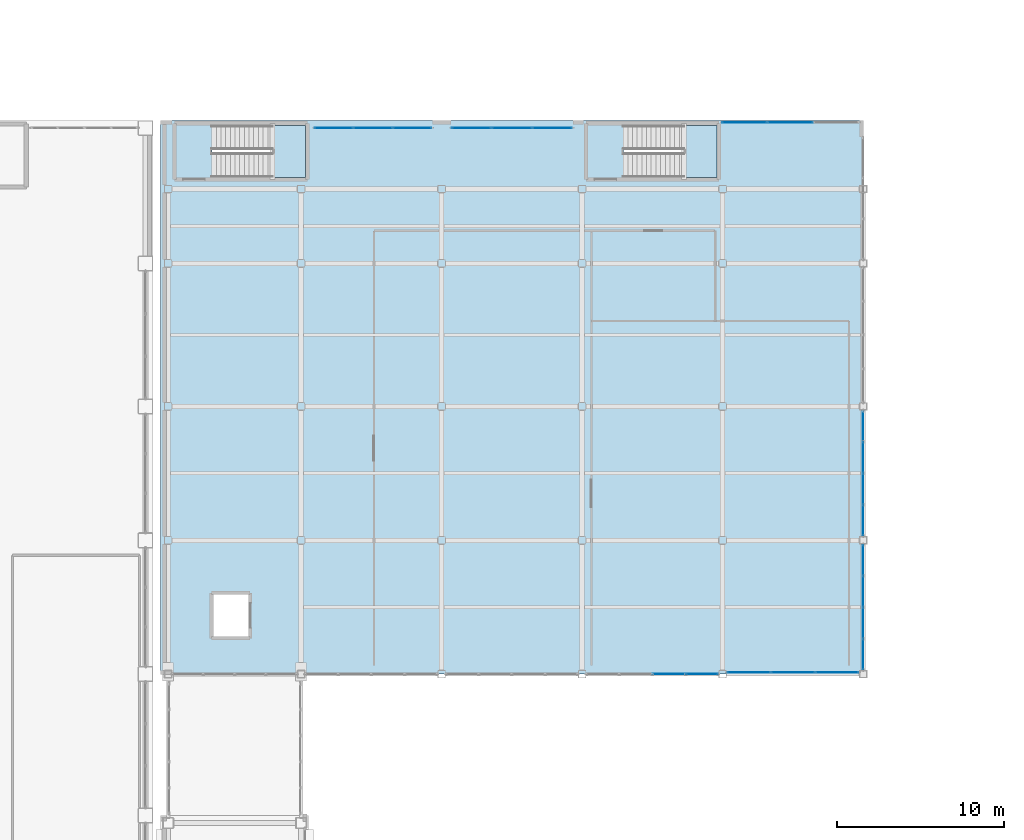
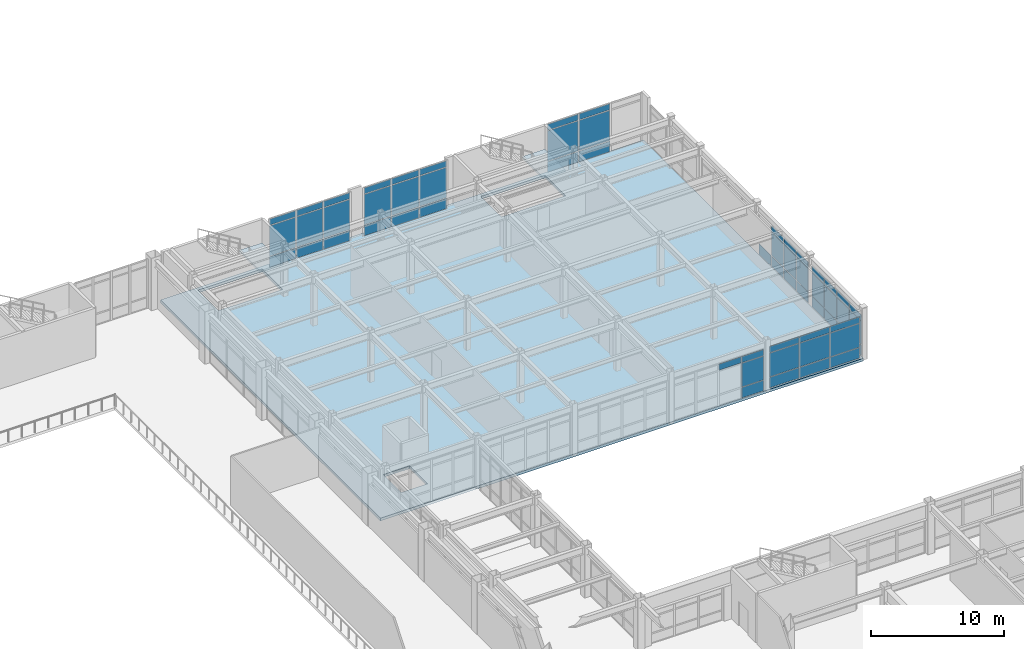
# One storey, part 133 of 172: 59 plates, 3 slabs, 9 elements without a shape of their own.
"""IFC4 building model written with IfcOpenShell, lengths in metres."""

from ifc_helpers import new_model, si_unit, direction, frame, origin, origin_2d, place, context, subcontext, project, spatial, polyline, rectangle, outline, extrude, material, layer, layer_set, type_object, element, aggregate, save


model = new_model("IFC4")

# Units and contexts
model_context = context("Model", 3, precision=1e-05, world=origin(), true_north=direction((0.0, 1.0)))
body_context = subcontext(model_context, "Body", "Model", "MODEL_VIEW")
ifc_project = project(units=[si_unit("LENGTHUNIT", "METRE"), si_unit("AREAUNIT", "SQUARE_METRE"), si_unit("VOLUMEUNIT", "CUBIC_METRE"), si_unit("PLANEANGLEUNIT", "RADIAN"), si_unit("MASSUNIT", "GRAM", prefix="KILO")], contexts=[model_context])

# Site, building, storey
site_placement = place(None, origin())
site = spatial("IfcSite", under=ifc_project, at=site_placement, CompositionType="ELEMENT")
building_placement = place(site_placement, origin())
building = spatial("IfcBuilding", under=site, at=building_placement, Name="Kazehara Bluff Congress Hotel", CompositionType="ELEMENT")
storey_placement = place(building_placement, frame((0.0, 0.0, 5.39990234375)))
storey = spatial("IfcBuildingStorey", under=building, at=storey_placement, Name="L01", CompositionType="ELEMENT", Elevation=5.39990234375)

# Curtain wall, plates
ifc_material_1 = material(Name="Anodised aluminium", Category="aluminium")
ifc_layer_1 = layer(ifc_material_1, 0.159912109375)
ifc_layer_set_1 = layer_set([ifc_layer_1], Name="Anodised aluminium")
curtain_wall_type_1 = type_object("IfcCurtainWallType", Name="TP-CW-37", PredefinedType="NOTDEFINED", material=ifc_layer_set_1)
curtain_wall_1_placement = place(storey_placement, origin())
curtain_wall_1 = element("IfcCurtainWall", 1, at=curtain_wall_1_placement, inside=storey, type_object=curtain_wall_type_1, Name="L01 curtain wall CW-37 CW-V3-L01-Y8090-8468", PredefinedType="NOTDEFINED")
ifc_material_2 = material(Name="Insulated low-E double glazing", Category="glass")
ifc_layer_2 = layer(ifc_material_2, 0.028076171875)
ifc_layer_set_2 = layer_set([ifc_layer_2], Name="Insulated low-E double glazing")
plate_type_1 = type_object("IfcPlateType", Name="TP-CWP-01", PredefinedType="CURTAIN_PANEL", material=ifc_layer_set_2)
plate_1_placement = place(storey_placement, frame((89.643798828125, 80.89990234375, 3.3076171875), z_axis=(0.0, 0.0, 1.0), x_axis=(1.0, 0.0, 0.0)))
plate_1 = element("IfcPlate", 2, at=plate_1_placement, type_object=plate_type_1, Name="CW-37 panel 3.3", PredefinedType="CURTAIN_PANEL", context=body_context, shape_type="SweptSolid", body=[
    extrude(rectangle(XDim=1.922607421875, YDim=0.028076171875, at=origin_2d()), origin(), (0.0, 0.0, 1.0), 0.552490234375),
])
plate_2_placement = place(storey_placement, frame((91.614990234375, 80.89990234375, 0.06494140625), z_axis=(0.0, 0.0, 1.0), x_axis=(1.0, 0.0, 0.0)))
plate_2 = element("IfcPlate", 3, at=plate_2_placement, type_object=plate_type_1, Name="CW-37 panel 4.1", PredefinedType="CURTAIN_PANEL", context=body_context, shape_type="SweptSolid", body=[
    extrude(rectangle(XDim=1.889892578125, YDim=0.028076171875, at=origin_2d()), origin(), (0.0, 0.0, 1.0), 0.952392578125),
])
plate_3_placement = place(storey_placement, frame((91.614990234375, 80.89990234375, 1.08251953125), z_axis=(0.0, 0.0, 1.0), x_axis=(1.0, 0.0, 0.0)))
plate_3 = element("IfcPlate", 4, at=plate_3_placement, type_object=plate_type_1, Name="CW-37 panel 4.2", PredefinedType="CURTAIN_PANEL", context=body_context, shape_type="SweptSolid", body=[
    extrude(rectangle(XDim=1.889892578125, YDim=0.028076171875, at=origin_2d()), origin(), (0.0, 0.0, 1.0), 2.159912109375),
])
plate_4_placement = place(storey_placement, frame((91.614990234375, 80.89990234375, 3.3076171875), z_axis=(0.0, 0.0, 1.0), x_axis=(1.0, 0.0, 0.0)))
plate_4 = element("IfcPlate", 5, at=plate_4_placement, type_object=plate_type_1, Name="CW-37 panel 4.3", PredefinedType="CURTAIN_PANEL", context=body_context, shape_type="SweptSolid", body=[
    extrude(rectangle(XDim=1.889892578125, YDim=0.028076171875, at=origin_2d()), origin(), (0.0, 0.0, 1.0), 0.552490234375),
])
aggregate(curtain_wall_1, [plate_1, plate_2, plate_3, plate_4])

ifc_material_3 = material(Name="Anodised aluminium", Category="aluminium")
ifc_layer_3 = layer(ifc_material_3, 0.159912109375)
ifc_layer_set_3 = layer_set([ifc_layer_3], Name="Anodised aluminium")
curtain_wall_type_2 = type_object("IfcCurtainWallType", Name="TP-CW-21", PredefinedType="NOTDEFINED", material=ifc_layer_set_3)
curtain_wall_2_placement = place(storey_placement, origin())
curtain_wall_2 = element("IfcCurtainWall", 6, at=curtain_wall_2_placement, inside=storey, type_object=curtain_wall_type_2, Name="L01 curtain wall CW-21 CW-V3-L01-X10125-8112", PredefinedType="NOTDEFINED")
plate_5_placement = place(storey_placement, frame((101.25, 82.0849609375, 0.06494140625), z_axis=(0.0, 0.0, 1.0), x_axis=(0.0, 1.0, 0.0)))
plate_5 = element("IfcPlate", 7, at=plate_5_placement, type_object=plate_type_1, Name="CW-21 panel 1.1", PredefinedType="CURTAIN_PANEL", context=body_context, shape_type="SweptSolid", body=[
    extrude(rectangle(XDim=1.7900390625, YDim=0.028076171875, at=origin_2d()), origin(), (0.0, 0.0, 1.0), 0.952392578125),
])
plate_6_placement = place(storey_placement, frame((101.25, 82.0849609375, 1.08251953125), z_axis=(0.0, 0.0, 1.0), x_axis=(0.0, 1.0, 0.0)))
plate_6 = element("IfcPlate", 8, at=plate_6_placement, type_object=plate_type_1, Name="CW-21 panel 1.2", PredefinedType="CURTAIN_PANEL", context=body_context, shape_type="SweptSolid", body=[
    extrude(rectangle(XDim=1.7900390625, YDim=0.028076171875, at=origin_2d()), origin(), (0.0, 0.0, 1.0), 2.110107421875),
])
plate_7_placement = place(storey_placement, frame((101.25, 82.0849609375, 3.2578125), z_axis=(0.0, 0.0, 1.0), x_axis=(0.0, 1.0, 0.0)))
plate_7 = element("IfcPlate", 9, at=plate_7_placement, type_object=plate_type_1, Name="CW-21 panel 1.3", PredefinedType="CURTAIN_PANEL", context=body_context, shape_type="SweptSolid", body=[
    extrude(rectangle(XDim=1.7900390625, YDim=0.028076171875, at=origin_2d()), origin(), (0.0, 0.0, 1.0), 0.552490234375),
])
plate_8_placement = place(storey_placement, frame((101.25, 83.956298828125, 0.06494140625), z_axis=(0.0, 0.0, 1.0), x_axis=(0.0, 1.0, 0.0)))
plate_8 = element("IfcPlate", 10, at=plate_8_placement, type_object=plate_type_1, Name="CW-21 panel 2.1", PredefinedType="CURTAIN_PANEL", context=body_context, shape_type="SweptSolid", body=[
    extrude(rectangle(XDim=1.822509765625, YDim=0.028076171875, at=origin_2d()), origin(), (0.0, 0.0, 1.0), 0.952392578125),
])
plate_9_placement = place(storey_placement, frame((101.25, 83.956298828125, 1.08251953125), z_axis=(0.0, 0.0, 1.0), x_axis=(0.0, 1.0, 0.0)))
plate_9 = element("IfcPlate", 11, at=plate_9_placement, type_object=plate_type_1, Name="CW-21 panel 2.2", PredefinedType="CURTAIN_PANEL", context=body_context, shape_type="SweptSolid", body=[
    extrude(rectangle(XDim=1.822509765625, YDim=0.028076171875, at=origin_2d()), origin(), (0.0, 0.0, 1.0), 2.110107421875),
])
plate_10_placement = place(storey_placement, frame((101.25, 83.956298828125, 3.2578125), z_axis=(0.0, 0.0, 1.0), x_axis=(0.0, 1.0, 0.0)))
plate_10 = element("IfcPlate", 12, at=plate_10_placement, type_object=plate_type_1, Name="CW-21 panel 2.3", PredefinedType="CURTAIN_PANEL", context=body_context, shape_type="SweptSolid", body=[
    extrude(rectangle(XDim=1.822509765625, YDim=0.028076171875, at=origin_2d()), origin(), (0.0, 0.0, 1.0), 0.552490234375),
])
plate_11_placement = place(storey_placement, frame((101.25, 85.84375, 0.06494140625), z_axis=(0.0, 0.0, 1.0), x_axis=(0.0, 1.0, 0.0)))
plate_11 = element("IfcPlate", 13, at=plate_11_placement, type_object=plate_type_1, Name="CW-21 panel 3.1", PredefinedType="CURTAIN_PANEL", context=body_context, shape_type="SweptSolid", body=[
    extrude(rectangle(XDim=1.822509765625, YDim=0.028076171875, at=origin_2d()), origin(), (0.0, 0.0, 1.0), 0.952392578125),
])
plate_12_placement = place(storey_placement, frame((101.25, 85.84375, 1.08251953125), z_axis=(0.0, 0.0, 1.0), x_axis=(0.0, 1.0, 0.0)))
plate_12 = element("IfcPlate", 14, at=plate_12_placement, type_object=plate_type_1, Name="CW-21 panel 3.2", PredefinedType="CURTAIN_PANEL", context=body_context, shape_type="SweptSolid", body=[
    extrude(rectangle(XDim=1.822509765625, YDim=0.028076171875, at=origin_2d()), origin(), (0.0, 0.0, 1.0), 2.110107421875),
])
plate_13_placement = place(storey_placement, frame((101.25, 85.84375, 3.2578125), z_axis=(0.0, 0.0, 1.0), x_axis=(0.0, 1.0, 0.0)))
plate_13 = element("IfcPlate", 15, at=plate_13_placement, type_object=plate_type_1, Name="CW-21 panel 3.3", PredefinedType="CURTAIN_PANEL", context=body_context, shape_type="SweptSolid", body=[
    extrude(rectangle(XDim=1.822509765625, YDim=0.028076171875, at=origin_2d()), origin(), (0.0, 0.0, 1.0), 0.552490234375),
])
plate_14_placement = place(storey_placement, frame((101.25, 87.715087890625, 0.06494140625), z_axis=(0.0, 0.0, 1.0), x_axis=(0.0, 1.0, 0.0)))
plate_14 = element("IfcPlate", 16, at=plate_14_placement, type_object=plate_type_1, Name="CW-21 panel 4.1", PredefinedType="CURTAIN_PANEL", context=body_context, shape_type="SweptSolid", body=[
    extrude(rectangle(XDim=1.7900390625, YDim=0.028076171875, at=origin_2d()), origin(), (0.0, 0.0, 1.0), 0.952392578125),
])
plate_15_placement = place(storey_placement, frame((101.25, 87.715087890625, 1.08251953125), z_axis=(0.0, 0.0, 1.0), x_axis=(0.0, 1.0, 0.0)))
plate_15 = element("IfcPlate", 17, at=plate_15_placement, type_object=plate_type_1, Name="CW-21 panel 4.2", PredefinedType="CURTAIN_PANEL", context=body_context, shape_type="SweptSolid", body=[
    extrude(rectangle(XDim=1.7900390625, YDim=0.028076171875, at=origin_2d()), origin(), (0.0, 0.0, 1.0), 2.110107421875),
])
plate_16_placement = place(storey_placement, frame((101.25, 87.715087890625, 3.2578125), z_axis=(0.0, 0.0, 1.0), x_axis=(0.0, 1.0, 0.0)))
plate_16 = element("IfcPlate", 18, at=plate_16_placement, type_object=plate_type_1, Name="CW-21 panel 4.3", PredefinedType="CURTAIN_PANEL", context=body_context, shape_type="SweptSolid", body=[
    extrude(rectangle(XDim=1.7900390625, YDim=0.028076171875, at=origin_2d()), origin(), (0.0, 0.0, 1.0), 0.552490234375),
])
aggregate(curtain_wall_2, [plate_5, plate_6, plate_7, plate_8, plate_9, plate_10, plate_11, plate_12, plate_13, plate_14, plate_15, plate_16])

curtain_wall_3_placement = place(storey_placement, origin())
curtain_wall_3 = element("IfcCurtainWall", 19, at=curtain_wall_3_placement, inside=storey, type_object=curtain_wall_type_2, Name="L01 curtain wall CW-21 CW-V3-L01-X10125-8912", PredefinedType="NOTDEFINED")
plate_17_placement = place(storey_placement, frame((101.25, 90.0849609375, 0.06494140625), z_axis=(0.0, 0.0, 1.0), x_axis=(0.0, 1.0, 0.0)))
plate_17 = element("IfcPlate", 20, at=plate_17_placement, type_object=plate_type_1, Name="CW-21 panel 1.1", PredefinedType="CURTAIN_PANEL", context=body_context, shape_type="SweptSolid", body=[
    extrude(rectangle(XDim=1.7900390625, YDim=0.028076171875, at=origin_2d()), origin(), (0.0, 0.0, 1.0), 0.952392578125),
])
plate_18_placement = place(storey_placement, frame((101.25, 90.0849609375, 1.08251953125), z_axis=(0.0, 0.0, 1.0), x_axis=(0.0, 1.0, 0.0)))
plate_18 = element("IfcPlate", 21, at=plate_18_placement, type_object=plate_type_1, Name="CW-21 panel 1.2", PredefinedType="CURTAIN_PANEL", context=body_context, shape_type="SweptSolid", body=[
    extrude(rectangle(XDim=1.7900390625, YDim=0.028076171875, at=origin_2d()), origin(), (0.0, 0.0, 1.0), 2.110107421875),
])
plate_19_placement = place(storey_placement, frame((101.25, 90.0849609375, 3.2578125), z_axis=(0.0, 0.0, 1.0), x_axis=(0.0, 1.0, 0.0)))
plate_19 = element("IfcPlate", 22, at=plate_19_placement, type_object=plate_type_1, Name="CW-21 panel 1.3", PredefinedType="CURTAIN_PANEL", context=body_context, shape_type="SweptSolid", body=[
    extrude(rectangle(XDim=1.7900390625, YDim=0.028076171875, at=origin_2d()), origin(), (0.0, 0.0, 1.0), 0.552490234375),
])
plate_20_placement = place(storey_placement, frame((101.25, 91.956298828125, 0.06494140625), z_axis=(0.0, 0.0, 1.0), x_axis=(0.0, 1.0, 0.0)))
plate_20 = element("IfcPlate", 23, at=plate_20_placement, type_object=plate_type_1, Name="CW-21 panel 2.1", PredefinedType="CURTAIN_PANEL", context=body_context, shape_type="SweptSolid", body=[
    extrude(rectangle(XDim=1.822509765625, YDim=0.028076171875, at=origin_2d()), origin(), (0.0, 0.0, 1.0), 0.952392578125),
])
plate_21_placement = place(storey_placement, frame((101.25, 91.956298828125, 1.08251953125), z_axis=(0.0, 0.0, 1.0), x_axis=(0.0, 1.0, 0.0)))
plate_21 = element("IfcPlate", 24, at=plate_21_placement, type_object=plate_type_1, Name="CW-21 panel 2.2", PredefinedType="CURTAIN_PANEL", context=body_context, shape_type="SweptSolid", body=[
    extrude(rectangle(XDim=1.822509765625, YDim=0.028076171875, at=origin_2d()), origin(), (0.0, 0.0, 1.0), 2.110107421875),
])
plate_22_placement = place(storey_placement, frame((101.25, 91.956298828125, 3.2578125), z_axis=(0.0, 0.0, 1.0), x_axis=(0.0, 1.0, 0.0)))
plate_22 = element("IfcPlate", 25, at=plate_22_placement, type_object=plate_type_1, Name="CW-21 panel 2.3", PredefinedType="CURTAIN_PANEL", context=body_context, shape_type="SweptSolid", body=[
    extrude(rectangle(XDim=1.822509765625, YDim=0.028076171875, at=origin_2d()), origin(), (0.0, 0.0, 1.0), 0.552490234375),
])
plate_23_placement = place(storey_placement, frame((101.25, 93.84375, 0.06494140625), z_axis=(0.0, 0.0, 1.0), x_axis=(0.0, 1.0, 0.0)))
plate_23 = element("IfcPlate", 26, at=plate_23_placement, type_object=plate_type_1, Name="CW-21 panel 3.1", PredefinedType="CURTAIN_PANEL", context=body_context, shape_type="SweptSolid", body=[
    extrude(rectangle(XDim=1.822509765625, YDim=0.028076171875, at=origin_2d()), origin(), (0.0, 0.0, 1.0), 0.952392578125),
])
plate_24_placement = place(storey_placement, frame((101.25, 93.84375, 1.08251953125), z_axis=(0.0, 0.0, 1.0), x_axis=(0.0, 1.0, 0.0)))
plate_24 = element("IfcPlate", 27, at=plate_24_placement, type_object=plate_type_1, Name="CW-21 panel 3.2", PredefinedType="CURTAIN_PANEL", context=body_context, shape_type="SweptSolid", body=[
    extrude(rectangle(XDim=1.822509765625, YDim=0.028076171875, at=origin_2d()), origin(), (0.0, 0.0, 1.0), 2.110107421875),
])
plate_25_placement = place(storey_placement, frame((101.25, 93.84375, 3.2578125), z_axis=(0.0, 0.0, 1.0), x_axis=(0.0, 1.0, 0.0)))
plate_25 = element("IfcPlate", 28, at=plate_25_placement, type_object=plate_type_1, Name="CW-21 panel 3.3", PredefinedType="CURTAIN_PANEL", context=body_context, shape_type="SweptSolid", body=[
    extrude(rectangle(XDim=1.822509765625, YDim=0.028076171875, at=origin_2d()), origin(), (0.0, 0.0, 1.0), 0.552490234375),
])
plate_26_placement = place(storey_placement, frame((101.25, 95.715087890625, 0.06494140625), z_axis=(0.0, 0.0, 1.0), x_axis=(0.0, 1.0, 0.0)))
plate_26 = element("IfcPlate", 29, at=plate_26_placement, type_object=plate_type_1, Name="CW-21 panel 4.1", PredefinedType="CURTAIN_PANEL", context=body_context, shape_type="SweptSolid", body=[
    extrude(rectangle(XDim=1.7900390625, YDim=0.028076171875, at=origin_2d()), origin(), (0.0, 0.0, 1.0), 0.952392578125),
])
aggregate(curtain_wall_3, [plate_17, plate_18, plate_19, plate_20, plate_21, plate_22, plate_23, plate_24, plate_25, plate_26])

curtain_wall_4_placement = place(storey_placement, origin())
curtain_wall_4 = element("IfcCurtainWall", 30, at=curtain_wall_4_placement, inside=storey, type_object=curtain_wall_type_1, Name="L01 curtain wall CW-37 CW-ENC-V3-L01-9705-8100", PredefinedType="NOTDEFINED")
plate_27_placement = place(storey_placement, frame((99.683837890625, 81.0, 0.06494140625), z_axis=(0.0, 0.0, 1.0), x_axis=(-1.0, 0.0, 0.0)))
plate_27 = element("IfcPlate", 31, at=plate_27_placement, type_object=plate_type_1, Name="CW-37 panel 1.1", PredefinedType="CURTAIN_PANEL", context=body_context, shape_type="SweptSolid", body=[
    extrude(rectangle(XDim=2.552490234375, YDim=0.028076171875, at=origin_2d()), origin(), (0.0, 0.0, 1.0), 0.952392578125),
])
plate_28_placement = place(storey_placement, frame((99.683837890625, 81.0, 1.08251953125), z_axis=(0.0, 0.0, 1.0), x_axis=(-1.0, 0.0, 0.0)))
plate_28 = element("IfcPlate", 32, at=plate_28_placement, type_object=plate_type_1, Name="CW-37 panel 1.2", PredefinedType="CURTAIN_PANEL", context=body_context, shape_type="SweptSolid", body=[
    extrude(rectangle(XDim=2.552490234375, YDim=0.028076171875, at=origin_2d()), origin(), (0.0, 0.0, 1.0), 2.159912109375),
])
plate_29_placement = place(storey_placement, frame((99.683837890625, 81.0, 3.3076171875), z_axis=(0.0, 0.0, 1.0), x_axis=(-1.0, 0.0, 0.0)))
plate_29 = element("IfcPlate", 33, at=plate_29_placement, type_object=plate_type_1, Name="CW-37 panel 1.3", PredefinedType="CURTAIN_PANEL", context=body_context, shape_type="SweptSolid", body=[
    extrude(rectangle(XDim=2.552490234375, YDim=0.028076171875, at=origin_2d()), origin(), (0.0, 0.0, 1.0), 0.552490234375),
])
plate_30_placement = place(storey_placement, frame((97.050048828125, 81.0, 0.06494140625), z_axis=(0.0, 0.0, 1.0), x_axis=(-1.0, 0.0, 0.0)))
plate_30 = element("IfcPlate", 34, at=plate_30_placement, type_object=plate_type_1, Name="CW-37 panel 2.1", PredefinedType="CURTAIN_PANEL", context=body_context, shape_type="SweptSolid", body=[
    extrude(rectangle(XDim=2.5849609375, YDim=0.028076171875, at=origin_2d()), origin(), (0.0, 0.0, 1.0), 0.952392578125),
])
plate_31_placement = place(storey_placement, frame((97.050048828125, 81.0, 1.08251953125), z_axis=(0.0, 0.0, 1.0), x_axis=(-1.0, 0.0, 0.0)))
plate_31 = element("IfcPlate", 35, at=plate_31_placement, type_object=plate_type_1, Name="CW-37 panel 2.2", PredefinedType="CURTAIN_PANEL", context=body_context, shape_type="SweptSolid", body=[
    extrude(rectangle(XDim=2.5849609375, YDim=0.028076171875, at=origin_2d()), origin(), (0.0, 0.0, 1.0), 2.159912109375),
])
plate_32_placement = place(storey_placement, frame((97.050048828125, 81.0, 3.3076171875), z_axis=(0.0, 0.0, 1.0), x_axis=(-1.0, 0.0, 0.0)))
plate_32 = element("IfcPlate", 36, at=plate_32_placement, type_object=plate_type_1, Name="CW-37 panel 2.3", PredefinedType="CURTAIN_PANEL", context=body_context, shape_type="SweptSolid", body=[
    extrude(rectangle(XDim=2.5849609375, YDim=0.028076171875, at=origin_2d()), origin(), (0.0, 0.0, 1.0), 0.552490234375),
])
plate_33_placement = place(storey_placement, frame((94.416259765625, 81.0, 0.06494140625), z_axis=(0.0, 0.0, 1.0), x_axis=(-1.0, 0.0, 0.0)))
plate_33 = element("IfcPlate", 37, at=plate_33_placement, type_object=plate_type_1, Name="CW-37 panel 3.1", PredefinedType="CURTAIN_PANEL", context=body_context, shape_type="SweptSolid", body=[
    extrude(rectangle(XDim=2.552490234375, YDim=0.028076171875, at=origin_2d()), origin(), (0.0, 0.0, 1.0), 0.952392578125),
])
plate_34_placement = place(storey_placement, frame((94.416259765625, 81.0, 1.08251953125), z_axis=(0.0, 0.0, 1.0), x_axis=(-1.0, 0.0, 0.0)))
plate_34 = element("IfcPlate", 38, at=plate_34_placement, type_object=plate_type_1, Name="CW-37 panel 3.2", PredefinedType="CURTAIN_PANEL", context=body_context, shape_type="SweptSolid", body=[
    extrude(rectangle(XDim=2.552490234375, YDim=0.028076171875, at=origin_2d()), origin(), (0.0, 0.0, 1.0), 2.159912109375),
])
plate_35_placement = place(storey_placement, frame((94.416259765625, 81.0, 3.3076171875), z_axis=(0.0, 0.0, 1.0), x_axis=(-1.0, 0.0, 0.0)))
plate_35 = element("IfcPlate", 39, at=plate_35_placement, type_object=plate_type_1, Name="CW-37 panel 3.3", PredefinedType="CURTAIN_PANEL", context=body_context, shape_type="SweptSolid", body=[
    extrude(rectangle(XDim=2.552490234375, YDim=0.028076171875, at=origin_2d()), origin(), (0.0, 0.0, 1.0), 0.552490234375),
])
aggregate(curtain_wall_4, [plate_27, plate_28, plate_29, plate_30, plate_31, plate_32, plate_33, plate_34, plate_35])

ifc_material_4 = material(Name="Anodised aluminium", Category="aluminium")
ifc_layer_4 = layer(ifc_material_4, 0.159912109375)
ifc_layer_set_4 = layer_set([ifc_layer_4], Name="Anodised aluminium")
curtain_wall_type_3 = type_object("IfcCurtainWallType", Name="TP-CW-47", PredefinedType="NOTDEFINED", material=ifc_layer_set_4)
curtain_wall_5_placement = place(storey_placement, origin())
curtain_wall_5 = element("IfcCurtainWall", 40, at=curtain_wall_5_placement, inside=storey, type_object=curtain_wall_type_3, Name="L01 curtain wall CW-47 CW-V3-L01-Y11355-6840", PredefinedType="NOTDEFINED")
ifc_material_5 = material(Name="Insulated low-E double glazing", Category="glass")
ifc_layer_5 = layer(ifc_material_5, 0.031982421875)
ifc_layer_set_5 = layer_set([ifc_layer_5], Name="Insulated low-E double glazing")
plate_type_2 = type_object("IfcPlateType", Name="TP-CWP-02", PredefinedType="CURTAIN_PANEL", material=ifc_layer_set_5)
plate_36_placement = place(storey_placement, frame((69.600830078125, 113.550048828125, 0.06494140625), z_axis=(0.0, 0.0, 1.0), x_axis=(1.0, 0.0, 0.0)))
plate_36 = element("IfcPlate", 41, at=plate_36_placement, type_object=plate_type_2, Name="CW-47 panel 1.1", PredefinedType="CURTAIN_PANEL", context=body_context, shape_type="SweptSolid", body=[
    extrude(rectangle(XDim=2.26171875, YDim=0.031982421875, at=origin_2d()), origin(), (0.0, 0.0, 1.0), 0.952392578125),
])
plate_37_placement = place(storey_placement, frame((69.600830078125, 113.550048828125, 1.08251953125), z_axis=(0.0, 0.0, 1.0), x_axis=(1.0, 0.0, 0.0)))
plate_37 = element("IfcPlate", 42, at=plate_37_placement, type_object=plate_type_2, Name="CW-47 panel 1.2", PredefinedType="CURTAIN_PANEL", context=body_context, shape_type="SweptSolid", body=[
    extrude(rectangle(XDim=2.26171875, YDim=0.031982421875, at=origin_2d()), origin(), (0.0, 0.0, 1.0), 2.77001953125),
])
plate_38_placement = place(storey_placement, frame((69.600830078125, 113.550048828125, 3.91748046875), z_axis=(0.0, 0.0, 1.0), x_axis=(1.0, 0.0, 0.0)))
plate_38 = element("IfcPlate", 43, at=plate_38_placement, type_object=plate_type_2, Name="CW-47 panel 1.3", PredefinedType="CURTAIN_PANEL", context=body_context, shape_type="SweptSolid", body=[
    extrude(rectangle(XDim=2.26171875, YDim=0.031982421875, at=origin_2d()), origin(), (0.0, 0.0, 1.0), 0.552490234375),
])
plate_39_placement = place(storey_placement, frame((71.949951171875, 113.550048828125, 0.06494140625), z_axis=(0.0, 0.0, 1.0), x_axis=(1.0, 0.0, 0.0)))
plate_39 = element("IfcPlate", 44, at=plate_39_placement, type_object=plate_type_2, Name="CW-47 panel 2.1", PredefinedType="CURTAIN_PANEL", context=body_context, shape_type="SweptSolid", body=[
    extrude(rectangle(XDim=2.296630859375, YDim=0.031982421875, at=origin_2d()), origin(), (0.0, 0.0, 1.0), 0.952392578125),
])
plate_40_placement = place(storey_placement, frame((71.949951171875, 113.550048828125, 1.08251953125), z_axis=(0.0, 0.0, 1.0), x_axis=(1.0, 0.0, 0.0)))
plate_40 = element("IfcPlate", 45, at=plate_40_placement, type_object=plate_type_2, Name="CW-47 panel 2.2", PredefinedType="CURTAIN_PANEL", context=body_context, shape_type="SweptSolid", body=[
    extrude(rectangle(XDim=2.296630859375, YDim=0.031982421875, at=origin_2d()), origin(), (0.0, 0.0, 1.0), 2.77001953125),
])
plate_41_placement = place(storey_placement, frame((71.949951171875, 113.550048828125, 3.91748046875), z_axis=(0.0, 0.0, 1.0), x_axis=(1.0, 0.0, 0.0)))
plate_41 = element("IfcPlate", 46, at=plate_41_placement, type_object=plate_type_2, Name="CW-47 panel 2.3", PredefinedType="CURTAIN_PANEL", context=body_context, shape_type="SweptSolid", body=[
    extrude(rectangle(XDim=2.296630859375, YDim=0.031982421875, at=origin_2d()), origin(), (0.0, 0.0, 1.0), 0.552490234375),
])
plate_42_placement = place(storey_placement, frame((74.299072265625, 113.550048828125, 0.06494140625), z_axis=(0.0, 0.0, 1.0), x_axis=(1.0, 0.0, 0.0)))
plate_42 = element("IfcPlate", 47, at=plate_42_placement, type_object=plate_type_2, Name="CW-47 panel 3.1", PredefinedType="CURTAIN_PANEL", context=body_context, shape_type="SweptSolid", body=[
    extrude(rectangle(XDim=2.26171875, YDim=0.031982421875, at=origin_2d()), origin(), (0.0, 0.0, 1.0), 0.952392578125),
])
plate_43_placement = place(storey_placement, frame((74.299072265625, 113.550048828125, 1.08251953125), z_axis=(0.0, 0.0, 1.0), x_axis=(1.0, 0.0, 0.0)))
plate_43 = element("IfcPlate", 48, at=plate_43_placement, type_object=plate_type_2, Name="CW-47 panel 3.2", PredefinedType="CURTAIN_PANEL", context=body_context, shape_type="SweptSolid", body=[
    extrude(rectangle(XDim=2.26171875, YDim=0.031982421875, at=origin_2d()), origin(), (0.0, 0.0, 1.0), 2.77001953125),
])
plate_44_placement = place(storey_placement, frame((74.299072265625, 113.550048828125, 3.91748046875), z_axis=(0.0, 0.0, 1.0), x_axis=(1.0, 0.0, 0.0)))
plate_44 = element("IfcPlate", 49, at=plate_44_placement, type_object=plate_type_2, Name="CW-47 panel 3.3", PredefinedType="CURTAIN_PANEL", context=body_context, shape_type="SweptSolid", body=[
    extrude(rectangle(XDim=2.26171875, YDim=0.031982421875, at=origin_2d()), origin(), (0.0, 0.0, 1.0), 0.552490234375),
])
aggregate(curtain_wall_5, [plate_36, plate_37, plate_38, plate_39, plate_40, plate_41, plate_42, plate_43, plate_44])

ifc_material_6 = material(Name="Anodised aluminium", Category="aluminium")
ifc_layer_6 = layer(ifc_material_6, 0.159912109375)
ifc_layer_set_6 = layer_set([ifc_layer_6], Name="Anodised aluminium")
curtain_wall_type_4 = type_object("IfcCurtainWallType", Name="TP-CW-48", PredefinedType="NOTDEFINED", material=ifc_layer_set_6)
curtain_wall_6_placement = place(storey_placement, origin())
curtain_wall_6 = element("IfcCurtainWall", 50, at=curtain_wall_6_placement, inside=storey, type_object=curtain_wall_type_4, Name="L01 curtain wall CW-48 CW-V3-L01-Y11355-7660", PredefinedType="NOTDEFINED")
plate_45_placement = place(storey_placement, frame((77.834228515625, 113.550048828125, 0.06494140625), z_axis=(0.0, 0.0, 1.0), x_axis=(1.0, 0.0, 0.0)))
plate_45 = element("IfcPlate", 51, at=plate_45_placement, type_object=plate_type_2, Name="CW-48 panel 1.1", PredefinedType="CURTAIN_PANEL", context=body_context, shape_type="SweptSolid", body=[
    extrude(rectangle(XDim=2.328369140625, YDim=0.031982421875, at=origin_2d()), origin(), (0.0, 0.0, 1.0), 0.952392578125),
])
plate_46_placement = place(storey_placement, frame((77.834228515625, 113.550048828125, 1.08251953125), z_axis=(0.0, 0.0, 1.0), x_axis=(1.0, 0.0, 0.0)))
plate_46 = element("IfcPlate", 52, at=plate_46_placement, type_object=plate_type_2, Name="CW-48 panel 1.2", PredefinedType="CURTAIN_PANEL", context=body_context, shape_type="SweptSolid", body=[
    extrude(rectangle(XDim=2.328369140625, YDim=0.031982421875, at=origin_2d()), origin(), (0.0, 0.0, 1.0), 2.77001953125),
])
plate_47_placement = place(storey_placement, frame((77.834228515625, 113.550048828125, 3.91748046875), z_axis=(0.0, 0.0, 1.0), x_axis=(1.0, 0.0, 0.0)))
plate_47 = element("IfcPlate", 53, at=plate_47_placement, type_object=plate_type_2, Name="CW-48 panel 1.3", PredefinedType="CURTAIN_PANEL", context=body_context, shape_type="SweptSolid", body=[
    extrude(rectangle(XDim=2.328369140625, YDim=0.031982421875, at=origin_2d()), origin(), (0.0, 0.0, 1.0), 0.552490234375),
])
plate_48_placement = place(storey_placement, frame((80.25, 113.550048828125, 0.06494140625), z_axis=(0.0, 0.0, 1.0), x_axis=(1.0, 0.0, 0.0)))
plate_48 = element("IfcPlate", 54, at=plate_48_placement, type_object=plate_type_2, Name="CW-48 panel 2.1", PredefinedType="CURTAIN_PANEL", context=body_context, shape_type="SweptSolid", body=[
    extrude(rectangle(XDim=2.36328125, YDim=0.031982421875, at=origin_2d()), origin(), (0.0, 0.0, 1.0), 0.952392578125),
])
plate_49_placement = place(storey_placement, frame((80.25, 113.550048828125, 1.08251953125), z_axis=(0.0, 0.0, 1.0), x_axis=(1.0, 0.0, 0.0)))
plate_49 = element("IfcPlate", 55, at=plate_49_placement, type_object=plate_type_2, Name="CW-48 panel 2.2", PredefinedType="CURTAIN_PANEL", context=body_context, shape_type="SweptSolid", body=[
    extrude(rectangle(XDim=2.36328125, YDim=0.031982421875, at=origin_2d()), origin(), (0.0, 0.0, 1.0), 2.77001953125),
])
plate_50_placement = place(storey_placement, frame((80.25, 113.550048828125, 3.91748046875), z_axis=(0.0, 0.0, 1.0), x_axis=(1.0, 0.0, 0.0)))
plate_50 = element("IfcPlate", 56, at=plate_50_placement, type_object=plate_type_2, Name="CW-48 panel 2.3", PredefinedType="CURTAIN_PANEL", context=body_context, shape_type="SweptSolid", body=[
    extrude(rectangle(XDim=2.36328125, YDim=0.031982421875, at=origin_2d()), origin(), (0.0, 0.0, 1.0), 0.552490234375),
])
plate_51_placement = place(storey_placement, frame((82.665771484375, 113.550048828125, 0.06494140625), z_axis=(0.0, 0.0, 1.0), x_axis=(1.0, 0.0, 0.0)))
plate_51 = element("IfcPlate", 57, at=plate_51_placement, type_object=plate_type_2, Name="CW-48 panel 3.1", PredefinedType="CURTAIN_PANEL", context=body_context, shape_type="SweptSolid", body=[
    extrude(rectangle(XDim=2.328369140625, YDim=0.031982421875, at=origin_2d()), origin(), (0.0, 0.0, 1.0), 0.952392578125),
])
plate_52_placement = place(storey_placement, frame((82.665771484375, 113.550048828125, 1.08251953125), z_axis=(0.0, 0.0, 1.0), x_axis=(1.0, 0.0, 0.0)))
plate_52 = element("IfcPlate", 58, at=plate_52_placement, type_object=plate_type_2, Name="CW-48 panel 3.2", PredefinedType="CURTAIN_PANEL", context=body_context, shape_type="SweptSolid", body=[
    extrude(rectangle(XDim=2.328369140625, YDim=0.031982421875, at=origin_2d()), origin(), (0.0, 0.0, 1.0), 2.77001953125),
])
plate_53_placement = place(storey_placement, frame((82.665771484375, 113.550048828125, 3.91748046875), z_axis=(0.0, 0.0, 1.0), x_axis=(1.0, 0.0, 0.0)))
plate_53 = element("IfcPlate", 59, at=plate_53_placement, type_object=plate_type_2, Name="CW-48 panel 3.3", PredefinedType="CURTAIN_PANEL", context=body_context, shape_type="SweptSolid", body=[
    extrude(rectangle(XDim=2.328369140625, YDim=0.031982421875, at=origin_2d()), origin(), (0.0, 0.0, 1.0), 0.552490234375),
])
aggregate(curtain_wall_6, [plate_45, plate_46, plate_47, plate_48, plate_49, plate_50, plate_51, plate_52, plate_53])

ifc_material_7 = material(Name="Anodised aluminium", Category="aluminium")
ifc_layer_7 = layer(ifc_material_7, 0.159912109375)
ifc_layer_set_7 = layer_set([ifc_layer_7], Name="Anodised aluminium")
curtain_wall_type_5 = type_object("IfcCurtainWallType", Name="TP-CW-111", PredefinedType="NOTDEFINED", material=ifc_layer_set_7)
curtain_wall_7_placement = place(storey_placement, origin())
curtain_wall_7 = element("IfcCurtainWall", 60, at=curtain_wall_7_placement, inside=storey, type_object=curtain_wall_type_5, Name="L01 curtain wall CW-111 CW-ENC-V3-L01-9689-11388", PredefinedType="NOTDEFINED")
plate_54_placement = place(storey_placement, frame((94.154052734375, 113.8798828125, 0.06494140625), z_axis=(0.0, 0.0, 1.0), x_axis=(1.0, 0.0, 0.0)))
plate_54 = element("IfcPlate", 61, at=plate_54_placement, type_object=plate_type_2, Name="CW-111 panel 1.1", PredefinedType="CURTAIN_PANEL", context=body_context, shape_type="SweptSolid", body=[
    extrude(rectangle(XDim=2.6484375, YDim=0.031982421875, at=origin_2d()), origin(), (0.0, 0.0, 1.0), 0.952392578125),
])
plate_55_placement = place(storey_placement, frame((94.154052734375, 113.8798828125, 1.08251953125), z_axis=(0.0, 0.0, 1.0), x_axis=(1.0, 0.0, 0.0)))
plate_55 = element("IfcPlate", 62, at=plate_55_placement, type_object=plate_type_2, Name="CW-111 panel 1.2", PredefinedType="CURTAIN_PANEL", context=body_context, shape_type="SweptSolid", body=[
    extrude(rectangle(XDim=2.6484375, YDim=0.031982421875, at=origin_2d()), origin(), (0.0, 0.0, 1.0), 2.77001953125),
])
plate_56_placement = place(storey_placement, frame((94.154052734375, 113.8798828125, 3.91748046875), z_axis=(0.0, 0.0, 1.0), x_axis=(1.0, 0.0, 0.0)))
plate_56 = element("IfcPlate", 63, at=plate_56_placement, type_object=plate_type_2, Name="CW-111 panel 1.3", PredefinedType="CURTAIN_PANEL", context=body_context, shape_type="SweptSolid", body=[
    extrude(rectangle(XDim=2.6484375, YDim=0.031982421875, at=origin_2d()), origin(), (0.0, 0.0, 1.0), 0.552490234375),
])
plate_57_placement = place(storey_placement, frame((96.889892578125, 113.8798828125, 0.06494140625), z_axis=(0.0, 0.0, 1.0), x_axis=(1.0, 0.0, 0.0)))
plate_57 = element("IfcPlate", 64, at=plate_57_placement, type_object=plate_type_2, Name="CW-111 panel 2.1", PredefinedType="CURTAIN_PANEL", context=body_context, shape_type="SweptSolid", body=[
    extrude(rectangle(XDim=2.683349609375, YDim=0.031982421875, at=origin_2d()), origin(), (0.0, 0.0, 1.0), 0.952392578125),
])
plate_58_placement = place(storey_placement, frame((96.889892578125, 113.8798828125, 1.08251953125), z_axis=(0.0, 0.0, 1.0), x_axis=(1.0, 0.0, 0.0)))
plate_58 = element("IfcPlate", 65, at=plate_58_placement, type_object=plate_type_2, Name="CW-111 panel 2.2", PredefinedType="CURTAIN_PANEL", context=body_context, shape_type="SweptSolid", body=[
    extrude(rectangle(XDim=2.683349609375, YDim=0.031982421875, at=origin_2d()), origin(), (0.0, 0.0, 1.0), 2.77001953125),
])
plate_59_placement = place(storey_placement, frame((96.889892578125, 113.8798828125, 3.91748046875), z_axis=(0.0, 0.0, 1.0), x_axis=(1.0, 0.0, 0.0)))
plate_59 = element("IfcPlate", 66, at=plate_59_placement, type_object=plate_type_2, Name="CW-111 panel 2.3", PredefinedType="CURTAIN_PANEL", context=body_context, shape_type="SweptSolid", body=[
    extrude(rectangle(XDim=2.683349609375, YDim=0.031982421875, at=origin_2d()), origin(), (0.0, 0.0, 1.0), 0.552490234375),
])
aggregate(curtain_wall_7, [plate_54, plate_55, plate_56, plate_57, plate_58, plate_59])

# Slab
ifc_material_8 = material(Name="Concrete C36/45", Category="concrete")
ifc_layer_8 = layer(ifc_material_8, 0.25)
ifc_layer_set_8 = layer_set([ifc_layer_8], Name="Concrete C36/45")
slab_type_1 = type_object("IfcSlabType", Name="TP-SL-250", PredefinedType="FLOOR", material=ifc_layer_set_8)
slab_1_placement = place(storey_placement, frame((0.0, 0.0, -0.25)))
element("IfcSlab", 67, at=slab_1_placement, inside=storey, type_object=slab_type_1, Name="L01 V3 composite floor slab", PredefinedType="FLOOR", context=body_context, shape_type="SweptSolid", body=[
    extrude(outline(polyline([(59.25, 80.89990234375), (101.25, 80.89990234375), (101.25, 114.0), (59.25, 114.0), (59.25, 80.89990234375)]), holes=[polyline([(62.324951171875, 110.60009765625), (67.89990234375, 110.60009765625), (67.89990234375, 113.699951171875), (62.324951171875, 113.699951171875), (62.324951171875, 110.60009765625)]), polyline([(86.925048828125, 110.60009765625), (92.5, 110.60009765625), (92.5, 113.699951171875), (86.925048828125, 113.699951171875), (86.925048828125, 110.60009765625)]), polyline([(62.300048828125, 83.050048828125), (64.60009765625, 83.050048828125), (64.60009765625, 85.75), (62.300048828125, 85.75), (62.300048828125, 83.050048828125)])]), origin(), (0.0, 0.0, 1.0), 0.25),
])

# Stair, slab
ifc_material_9 = material(Name="Concrete C36/45", Category="concrete")
stair_type = type_object("IfcStairType", Name="TP-ST-T04", PredefinedType="HALF_TURN_STAIR", material=ifc_material_9)
stair_1_placement = place(storey_placement, origin())
stair_1 = element("IfcStair", 68, at=stair_1_placement, inside=storey, type_object=stair_type, Name="L01 Escape stair ST-06", PredefinedType="HALF_TURN_STAIR")
ifc_material_10 = material(Name="Concrete C36/45", Category="concrete")
ifc_layer_9 = layer(ifc_material_10, 0.199951171875)
ifc_layer_set_9 = layer_set([ifc_layer_9], Name="Concrete C36/45")
slab_type_2 = type_object("IfcSlabType", Name="TP-SLD-200", PredefinedType="LANDING", material=ifc_layer_set_9)
slab_2_placement = place(storey_placement, frame((0.0, 0.0, 2.2001953125)))
slab_2 = element("IfcSlab", 69, at=slab_2_placement, type_object=slab_type_2, Name="ST-06 landing 1", PredefinedType="LANDING", context=body_context, shape_type="SweptSolid", body=[
    extrude(outline(polyline([(65.93994140625, 110.60009765625), (67.89990234375, 110.60009765625), (67.89990234375, 113.699951171875), (65.93994140625, 113.699951171875), (65.93994140625, 110.60009765625)])), origin(), (0.0, 0.0, 1.0), 0.199951171875),
])
aggregate(stair_1, [slab_2])

stair_2_placement = place(storey_placement, origin())
stair_2 = element("IfcStair", 70, at=stair_2_placement, inside=storey, type_object=stair_type, Name="L01 Escape stair ST-07", PredefinedType="HALF_TURN_STAIR")
slab_3_placement = place(storey_placement, frame((0.0, 0.0, 2.2001953125)))
slab_3 = element("IfcSlab", 71, at=slab_3_placement, type_object=slab_type_2, Name="ST-07 landing 1", PredefinedType="LANDING", context=body_context, shape_type="SweptSolid", body=[
    extrude(outline(polyline([(90.5400390625, 110.60009765625), (92.5, 110.60009765625), (92.5, 113.699951171875), (90.5400390625, 113.699951171875), (90.5400390625, 110.60009765625)])), origin(), (0.0, 0.0, 1.0), 0.199951171875),
])
aggregate(stair_2, [slab_3])

save(model, "model.ifc")
